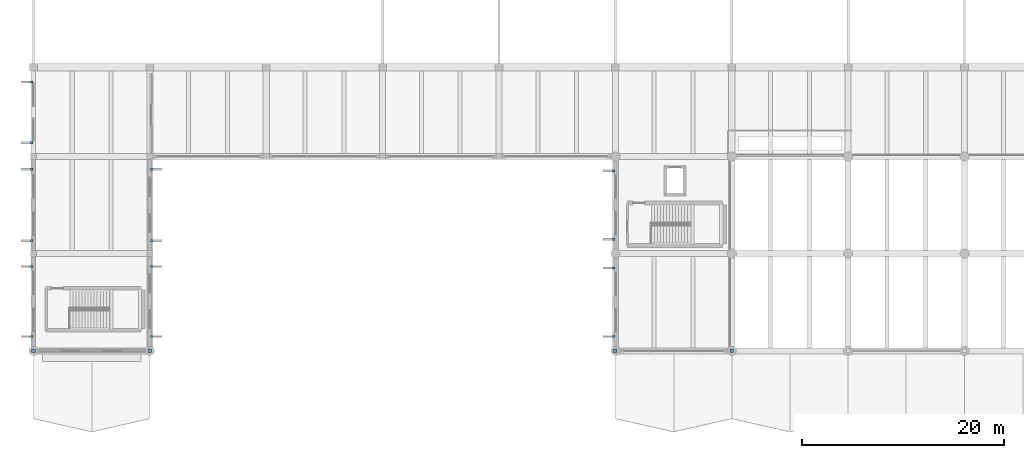
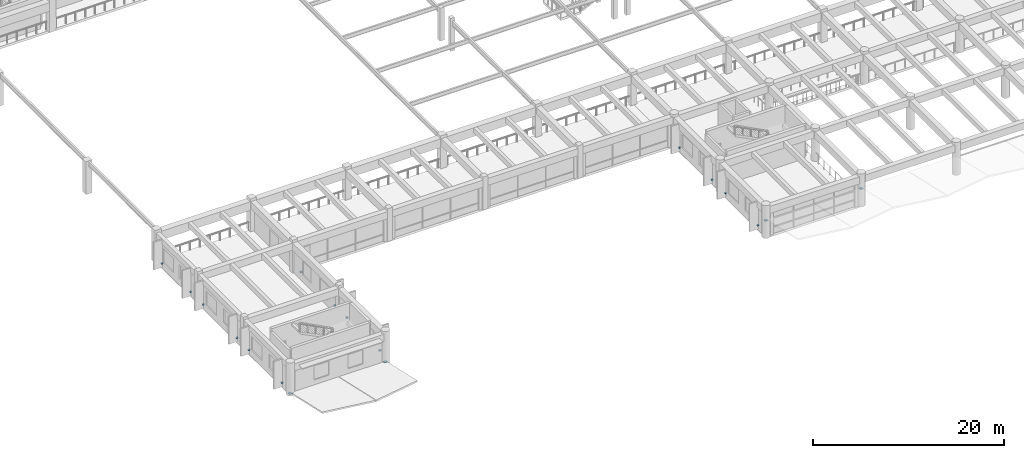
# One storey, part 84 of 98: 18 discrete accessories.
"""IFC4 building model written with IfcOpenShell, lengths in metres."""

from ifc_helpers import new_model, si_unit, direction, frame, origin, origin_2d, place, context, subcontext, project, spatial, rectangle, extrude, material, type_object, element, save


model = new_model("IFC4")

# Units and contexts
model_context = context("Model", 3, precision=1e-05, world=origin(), true_north=direction((0.0, 1.0)))
body_context = subcontext(model_context, "Body", "Model", "MODEL_VIEW")
ifc_project = project(units=[si_unit("LENGTHUNIT", "METRE"), si_unit("AREAUNIT", "SQUARE_METRE"), si_unit("VOLUMEUNIT", "CUBIC_METRE"), si_unit("PLANEANGLEUNIT", "RADIAN"), si_unit("MASSUNIT", "GRAM", prefix="KILO")], contexts=[model_context])

# Site, building, storey
site_placement = place(None, origin())
site = spatial("IfcSite", under=ifc_project, at=site_placement, CompositionType="ELEMENT")
building_placement = place(site_placement, origin())
building = spatial("IfcBuilding", under=site, at=building_placement, Name="Ologun Quay Terminus", CompositionType="ELEMENT")
storey_placement = place(building_placement, frame((0.0, 0.0, 4.199951171875)))
storey = spatial("IfcBuildingStorey", under=building, at=storey_placement, Name="L01", CompositionType="ELEMENT", Elevation=4.199951171875)

# Discrete accessories
ifc_material_1 = material(Name="Steel S355", Category="steel")
discrete_accessory_type_1 = type_object("IfcDiscreteAccessoryType", Name="Brace & Strut End Gusset Connection Plate 360x360x20", PredefinedType="BRACKET", material=ifc_material_1)
for number, where, z_axis, x_axis, name in (
    (1, (0.0, 8.0, 0.0400390625), (0.0, 0.0, 1.0), (1.0, 0.0, 0.0), "GUS-END Canopy Tie Gusset S-1-W"),
    (2, (11.5, 8.0, 0.0400390625), (0.0, 0.0, 1.0), (1.0, 0.0, 0.0), "GUS-END Canopy Tie Gusset S-1-E"),
    (3, (57.5, 8.0, 2.0400390625), (0.0, 0.0, 1.0), (1.0, 0.0, 0.0), "GUS-END Canopy Tie Gusset S-6-W"),
    (4, (69.0, 8.0, 2.0400390625), (0.0, 0.0, 1.0), (1.0, 0.0, 0.0), "GUS-END Canopy Tie Gusset S-6-E"),
):
    element("IfcDiscreteAccessory", number, at=place(storey_placement, frame(where, z_axis=z_axis, x_axis=x_axis)), inside=storey, type_object=discrete_accessory_type_1, Name=name, PredefinedType="BRACKET", context=body_context, shape_type="SweptSolid", body=[
        extrude(rectangle(XDim=0.360107421875, YDim=0.360107421875, at=origin_2d()), origin(), (0.0, 0.0, 1.0), 0.02001953125),
    ])
ifc_material_2 = material(Name="Steel S355", Category="steel")
discrete_accessory_type_2 = type_object("IfcDiscreteAccessoryType", Name="Solar Fin Stainless Support Bracket", PredefinedType="BRACKET", material=ifc_material_2)
for number, where, z_axis, x_axis, name in (
    (5, (11.659912109375, 9.419921875, 0.52001953125), (0.0, 0.0, 1.0), (1.0, 0.0, 0.0), "BRK-01 Solar Fin Bracket WEW-SA-L01-1-2-1"),
    (6, (11.659912109375, 16.330078125, 0.52001953125), (0.0, 0.0, 1.0), (1.0, 0.0, 0.0), "BRK-01 Solar Fin Bracket WEW-SA-L01-1-2-2"),
    (7, (11.659912109375, 18.8701171875, 0.52001953125), (0.0, 0.0, 1.0), (1.0, 0.0, 0.0), "BRK-01 Solar Fin Bracket WEW-SA-L01-1-3-1"),
    (8, (11.659912109375, 25.929931640625, 0.52001953125), (0.0, 0.0, 1.0), (1.0, 0.0, 0.0), "BRK-01 Solar Fin Bracket WEW-SA-L01-1-3-2"),
    (9, (-0.159912109375, 9.419921875, 0.52001953125), (0.0, 0.0, 1.0), (1.0, 0.0, 0.0), "BRK-01 Solar Fin Bracket WEW-SA-L01-1-14-1"),
    (10, (-0.159912109375, 16.330078125, 0.52001953125), (0.0, 0.0, 1.0), (1.0, 0.0, 0.0), "BRK-01 Solar Fin Bracket WEW-SA-L01-1-14-2"),
    (11, (-0.159912109375, 18.8701171875, 0.52001953125), (0.0, 0.0, 1.0), (1.0, 0.0, 0.0), "BRK-01 Solar Fin Bracket WEW-SA-L01-1-15-1"),
    (12, (-0.159912109375, 25.929931640625, 0.52001953125), (0.0, 0.0, 1.0), (1.0, 0.0, 0.0), "BRK-01 Solar Fin Bracket WEW-SA-L01-1-15-2"),
    (13, (-0.159912109375, 28.570068359375, 0.52001953125), (0.0, 0.0, 1.0), (1.0, 0.0, 0.0), "BRK-01 Solar Fin Bracket WEW-SA-L01-1-16-1"),
    (14, (-0.159912109375, 34.554931640625, 0.52001953125), (0.0, 0.0, 1.0), (1.0, 0.0, 0.0), "BRK-01 Solar Fin Bracket WEW-SA-L01-1-16-2"),
    (15, (57.340087890625, 9.419921875, 0.52001953125), (0.0, 0.0, 1.0), (1.0, 0.0, 0.0), "BRK-01 Solar Fin Bracket WEW-SA-L01-2-20-1"),
    (16, (57.340087890625, 16.179931640625, 0.52001953125), (0.0, 0.0, 1.0), (1.0, 0.0, 0.0), "BRK-01 Solar Fin Bracket WEW-SA-L01-2-20-2"),
    (17, (57.340087890625, 19.02001953125, 0.52001953125), (0.0, 0.0, 1.0), (1.0, 0.0, 0.0), "BRK-01 Solar Fin Bracket WEW-SA-L01-2-21-1"),
    (18, (57.340087890625, 25.780029296875, 0.52001953125), (0.0, 0.0, 1.0), (1.0, 0.0, 0.0), "BRK-01 Solar Fin Bracket WEW-SA-L01-2-21-2"),
):
    element("IfcDiscreteAccessory", number, at=place(storey_placement, frame(where, z_axis=z_axis, x_axis=x_axis)), inside=storey, type_object=discrete_accessory_type_2, Name=name, PredefinedType="BRACKET", context=body_context, shape_type="SweptSolid", body=[
        extrude(rectangle(XDim=0.219970703125, YDim=0.219970703125, at=origin_2d()), origin(), (0.0, 0.0, 1.0), 0.159912109375),
    ])

save(model, "model.ifc")
